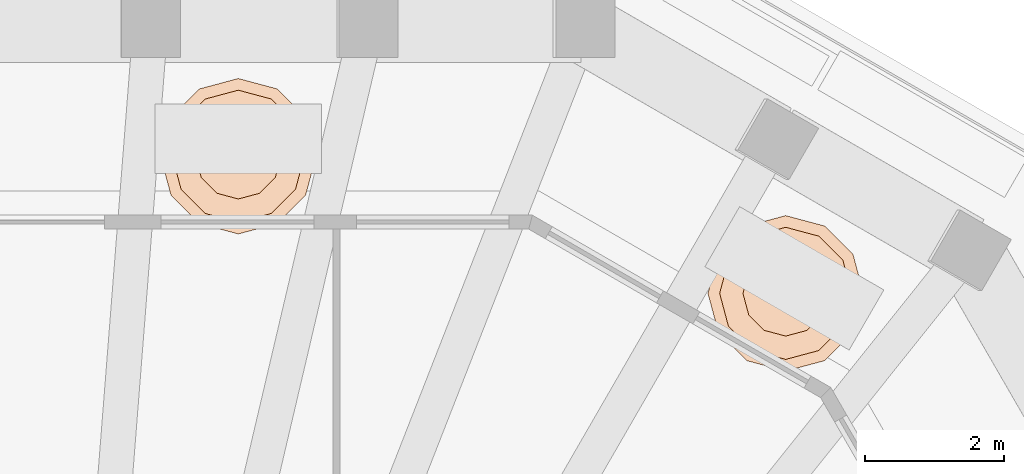
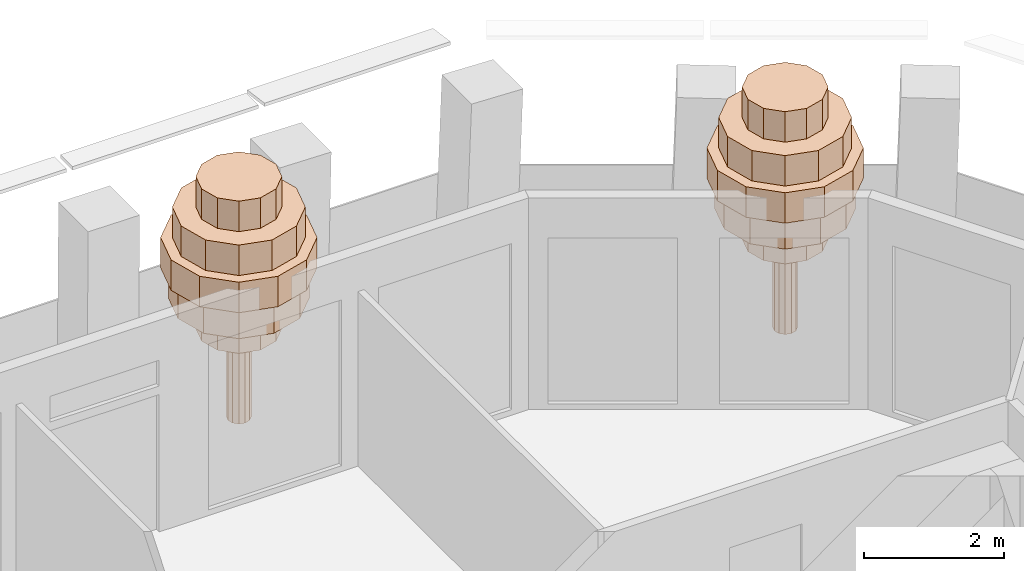
# One storey, part 13 of 13: 2 geographic elements.
"""IFC4 building model written with IfcOpenShell, lengths in metres."""

from ifc_helpers import new_model, si_unit, direction, frame, origin, place, context, subcontext, project, spatial, polyline, outline, extrude, material, type_object, element, save


model = new_model("IFC4")

# Units and contexts
model_context = context("Model", 3, precision=1e-05, world=origin(), true_north=direction((0.0, 1.0)))
body_context = subcontext(model_context, "Body", "Model", "MODEL_VIEW")
ifc_project = project(units=[si_unit("LENGTHUNIT", "METRE"), si_unit("AREAUNIT", "SQUARE_METRE"), si_unit("VOLUMEUNIT", "CUBIC_METRE"), si_unit("PLANEANGLEUNIT", "RADIAN"), si_unit("MASSUNIT", "GRAM", prefix="KILO")], contexts=[model_context])

# Site, building, storey
site_placement = place(None, origin())
site = spatial("IfcSite", under=ifc_project, at=site_placement, CompositionType="ELEMENT")
building_placement = place(site_placement, origin())
building = spatial("IfcBuilding", under=site, at=building_placement, Name="Frailejon Research Tower", CompositionType="ELEMENT")
storey_placement = place(building_placement, frame((0.0, 0.0, 308.60009765625)))
storey = spatial("IfcBuildingStorey", under=building, at=storey_placement, Name="L68", CompositionType="ELEMENT", Elevation=308.60009765625)

# Geographic elements
ifc_material = material(Name="Foliage, green")
geographic_element_type = type_object("IfcGeographicElementType", Name="Frailejon tree, terrace", PredefinedType="USERDEFINED", material=ifc_material)
geographic_element_1_placement = place(storey_placement, frame((10.7138671875, 16.07421875, 0.699951171875)))
element("IfcGeographicElement", 1, at=geographic_element_1_placement, inside=storey, type_object=geographic_element_type, Name="Tree L68", ObjectType="TREE", PredefinedType="USERDEFINED", context=body_context, shape_type="SweptSolid", body=[
    extrude(outline(polyline([(0.177978515625, 0.0), (0.154052734375, 0.089111328125), (0.089111328125, 0.154052734375), (0.0, 0.177978515625), (-0.089111328125, 0.154052734375), (-0.154052734375, 0.089111328125), (-0.177978515625, 0.0), (-0.154052734375, -0.089111328125), (-0.089111328125, -0.154052734375), (0.0, -0.177978515625), (0.089111328125, -0.154052734375), (0.154052734375, -0.089111328125), (0.177978515625, 0.0)])), origin(), (0.0, 0.0, 1.0), 3.135986328125),
    extrude(outline(polyline([(0.615966796875, 0.0), (0.533447265625, 0.30810546875), (0.30810546875, 0.533447265625), (0.0, 0.615966796875), (-0.30810546875, 0.533447265625), (-0.533447265625, 0.30810546875), (-0.615966796875, 0.0), (-0.533447265625, -0.30810546875), (-0.30810546875, -0.533447265625), (0.0, -0.615966796875), (0.30810546875, -0.533447265625), (0.533447265625, -0.30810546875), (0.615966796875, 0.0)])), frame((0.0, 0.0, 1.5400390625)), (0.0, 0.0, 1.0), 0.531982421875),
    extrude(outline(polyline([(1.008056640625, 0.0), (0.873046875, 0.50390625), (0.50390625, 0.873046875), (0.0, 1.008056640625), (-0.50390625, 0.873046875), (-0.873046875, 0.50390625), (-1.008056640625, 0.0), (-0.873046875, -0.50390625), (-0.50390625, -0.873046875), (0.0, -1.008056640625), (0.50390625, -0.873046875), (0.873046875, -0.50390625), (1.008056640625, 0.0)])), frame((0.0, 0.0, 2.072021484375)), (0.0, 0.0, 1.0), 0.531982421875),
    extrude(outline(polyline([(1.1201171875, 0.0), (0.969970703125, 0.56005859375), (0.56005859375, 0.969970703125), (0.0, 1.1201171875), (-0.56005859375, 0.969970703125), (-0.969970703125, 0.56005859375), (-1.1201171875, 0.0), (-0.969970703125, -0.56005859375), (-0.56005859375, -0.969970703125), (0.0, -1.1201171875), (0.56005859375, -0.969970703125), (0.969970703125, -0.56005859375), (1.1201171875, 0.0)])), frame((0.0, 0.0, 2.60400390625)), (0.0, 0.0, 1.0), 0.531982421875),
    extrude(outline(polyline([(0.951904296875, 0.0), (0.824462890625, 0.47607421875), (0.47607421875, 0.824462890625), (0.0, 0.951904296875), (-0.47607421875, 0.824462890625), (-0.824462890625, 0.47607421875), (-0.951904296875, 0.0), (-0.824462890625, -0.47607421875), (-0.47607421875, -0.824462890625), (0.0, -0.951904296875), (0.47607421875, -0.824462890625), (0.824462890625, -0.47607421875), (0.951904296875, 0.0)])), frame((0.0, 0.0, 3.135986328125)), (0.0, 0.0, 1.0), 0.531982421875),
    extrude(outline(polyline([(0.615966796875, 0.0), (0.533447265625, 0.30810546875), (0.30810546875, 0.533447265625), (0.0, 0.615966796875), (-0.30810546875, 0.533447265625), (-0.533447265625, 0.30810546875), (-0.615966796875, 0.0), (-0.533447265625, -0.30810546875), (-0.30810546875, -0.533447265625), (0.0, -0.615966796875), (0.30810546875, -0.533447265625), (0.533447265625, -0.30810546875), (0.615966796875, 0.0)])), frame((0.0, 0.0, 3.66796875)), (0.0, 0.0, 1.0), 0.531982421875),
])
geographic_element_2_placement = place(storey_placement, frame((2.825439453125, 18.050048828125, 0.699951171875)))
element("IfcGeographicElement", 2, at=geographic_element_2_placement, inside=storey, type_object=geographic_element_type, Name="Tree L68", ObjectType="TREE", PredefinedType="USERDEFINED", context=body_context, shape_type="SweptSolid", body=[
    extrude(outline(polyline([(0.177978515625, 0.0), (0.154052734375, 0.089111328125), (0.089111328125, 0.154052734375), (0.0, 0.177978515625), (-0.089111328125, 0.154052734375), (-0.154052734375, 0.089111328125), (-0.177978515625, 0.0), (-0.154052734375, -0.089111328125), (-0.089111328125, -0.154052734375), (0.0, -0.177978515625), (0.089111328125, -0.154052734375), (0.154052734375, -0.089111328125), (0.177978515625, 0.0)])), origin(), (0.0, 0.0, 1.0), 3.135986328125),
    extrude(outline(polyline([(0.615966796875, 0.0), (0.533447265625, 0.30810546875), (0.30810546875, 0.533447265625), (0.0, 0.615966796875), (-0.30810546875, 0.533447265625), (-0.533447265625, 0.30810546875), (-0.615966796875, 0.0), (-0.533447265625, -0.30810546875), (-0.30810546875, -0.533447265625), (0.0, -0.615966796875), (0.30810546875, -0.533447265625), (0.533447265625, -0.30810546875), (0.615966796875, 0.0)])), frame((0.0, 0.0, 1.5400390625)), (0.0, 0.0, 1.0), 0.531982421875),
    extrude(outline(polyline([(1.008056640625, 0.0), (0.873046875, 0.50390625), (0.50390625, 0.873046875), (0.0, 1.008056640625), (-0.50390625, 0.873046875), (-0.873046875, 0.50390625), (-1.008056640625, 0.0), (-0.873046875, -0.50390625), (-0.50390625, -0.873046875), (0.0, -1.008056640625), (0.50390625, -0.873046875), (0.873046875, -0.50390625), (1.008056640625, 0.0)])), frame((0.0, 0.0, 2.072021484375)), (0.0, 0.0, 1.0), 0.531982421875),
    extrude(outline(polyline([(1.1201171875, 0.0), (0.969970703125, 0.56005859375), (0.56005859375, 0.969970703125), (0.0, 1.1201171875), (-0.56005859375, 0.969970703125), (-0.969970703125, 0.56005859375), (-1.1201171875, 0.0), (-0.969970703125, -0.56005859375), (-0.56005859375, -0.969970703125), (0.0, -1.1201171875), (0.56005859375, -0.969970703125), (0.969970703125, -0.56005859375), (1.1201171875, 0.0)])), frame((0.0, 0.0, 2.60400390625)), (0.0, 0.0, 1.0), 0.531982421875),
    extrude(outline(polyline([(0.951904296875, 0.0), (0.824462890625, 0.47607421875), (0.47607421875, 0.824462890625), (0.0, 0.951904296875), (-0.47607421875, 0.824462890625), (-0.824462890625, 0.47607421875), (-0.951904296875, 0.0), (-0.824462890625, -0.47607421875), (-0.47607421875, -0.824462890625), (0.0, -0.951904296875), (0.47607421875, -0.824462890625), (0.824462890625, -0.47607421875), (0.951904296875, 0.0)])), frame((0.0, 0.0, 3.135986328125)), (0.0, 0.0, 1.0), 0.531982421875),
    extrude(outline(polyline([(0.615966796875, 0.0), (0.533447265625, 0.30810546875), (0.30810546875, 0.533447265625), (0.0, 0.615966796875), (-0.30810546875, 0.533447265625), (-0.533447265625, 0.30810546875), (-0.615966796875, 0.0), (-0.533447265625, -0.30810546875), (-0.30810546875, -0.533447265625), (0.0, -0.615966796875), (0.30810546875, -0.533447265625), (0.533447265625, -0.30810546875), (0.615966796875, 0.0)])), frame((0.0, 0.0, 3.66796875)), (0.0, 0.0, 1.0), 0.531982421875),
])

save(model, "model.ifc")
